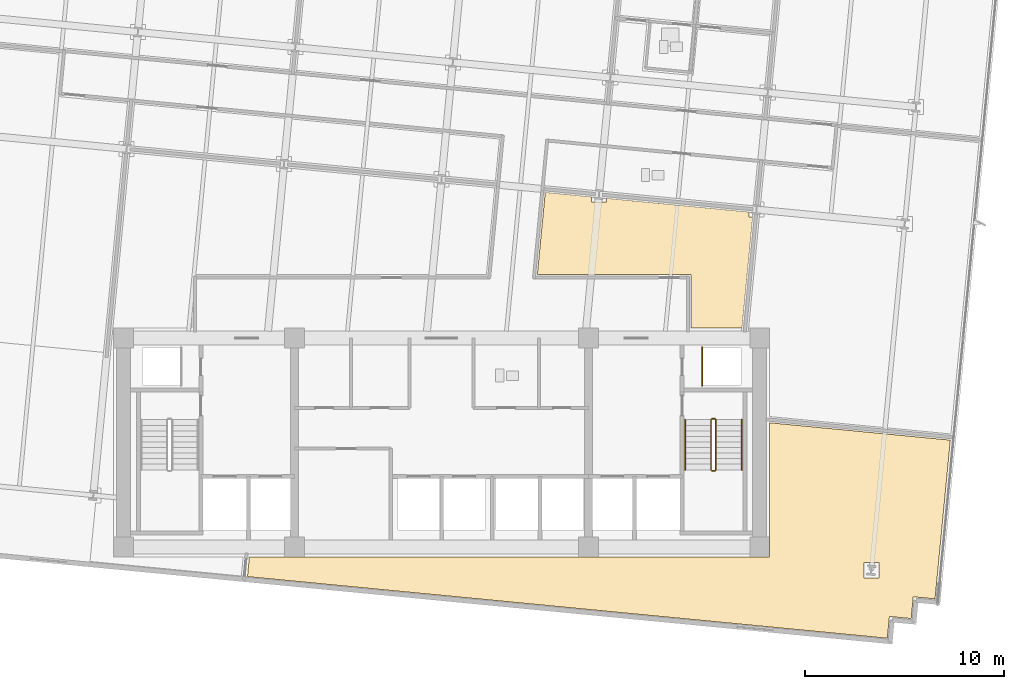
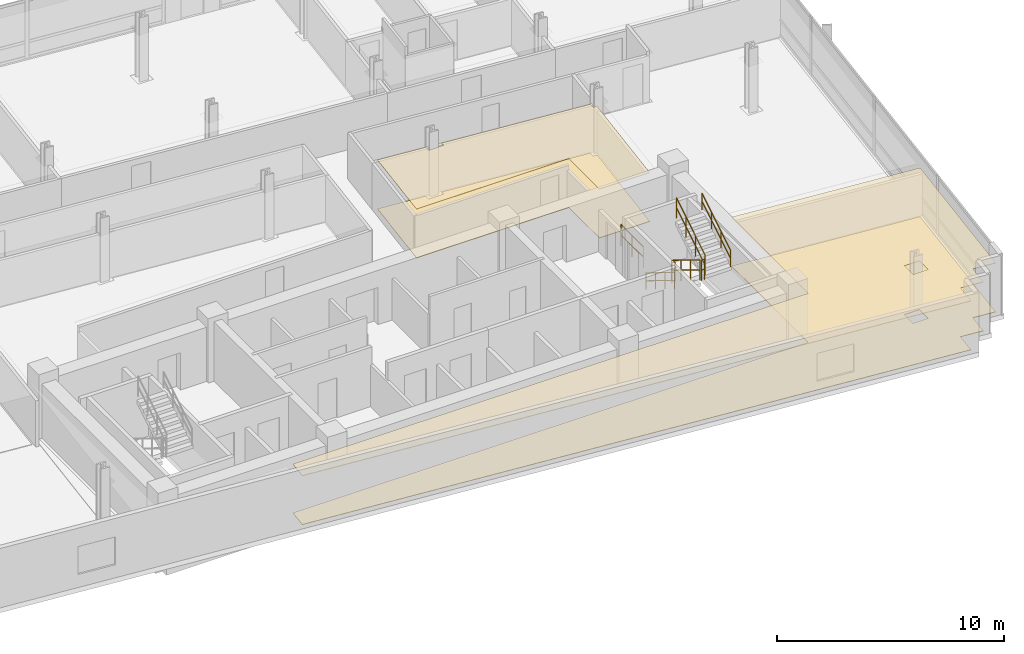
# One storey, part 14 of 16: 7 railings, 4 coverings.
"""IFC4 building model written with IfcOpenShell, lengths in metres."""

from ifc_helpers import new_model, si_unit, direction, frame, origin, origin_2d, place, context, subcontext, project, spatial, polyline, circle, outline, extrude, material, layer, layer_set, type_object, element, save


model = new_model("IFC4")

# Units and contexts
model_context = context("Model", 3, precision=1e-05, world=origin(), true_north=direction((0.0, 1.0)))
body_context = subcontext(model_context, "Body", "Model", "MODEL_VIEW")
ifc_project = project(units=[si_unit("LENGTHUNIT", "METRE"), si_unit("AREAUNIT", "SQUARE_METRE"), si_unit("VOLUMEUNIT", "CUBIC_METRE"), si_unit("PLANEANGLEUNIT", "RADIAN"), si_unit("MASSUNIT", "GRAM", prefix="KILO")], contexts=[model_context])

# Site, building, storey
site_placement = place(None, origin())
site = spatial("IfcSite", under=ifc_project, at=site_placement, CompositionType="ELEMENT")
building_placement = place(site_placement, origin())
building = spatial("IfcBuilding", under=site, at=building_placement, Name="Solmavex Isthmus Hotel", CompositionType="ELEMENT")
storey_placement = place(building_placement, frame((0.0, 0.0, 160.050048828125)))
storey = spatial("IfcBuildingStorey", under=building, at=storey_placement, Name="L43", CompositionType="ELEMENT", Elevation=160.050048828125)

# Coverings
ifc_material_1 = material(Name="Gypsum plasterboard lining", Category="gypsum")
ifc_layer_1 = layer(ifc_material_1, 0.030029296875)
ifc_layer_set_1 = layer_set([ifc_layer_1], Name="Gypsum plasterboard lining")
covering_type_1 = type_object("IfcCoveringType", Name="COV-CEIL-GYP", PredefinedType="CEILING", material=ifc_layer_set_1)
covering_1_placement = place(storey_placement, frame((0.0, 0.0, 2.619873046875)))
element("IfcCovering", 1, at=covering_1_placement, inside=storey, type_object=covering_type_1, Name="Suspended Acoustic Ceiling L43-FL07", PredefinedType="CEILING", context=body_context, shape_type="SweptSolid", body=[
    extrude(outline(polyline([(8.300537109375, 4.535400390625), (8.300537109375, 4.347900390625), (7.540771484375, 4.347900390625), (7.540771484375, 4.608642578125), (5.21533203125, 4.83251953125), (4.81787109375, 0.705078125), (12.554931640625, 0.705078125), (12.554931640625, -1.9951171875), (15.1103515625, -1.9951171875), (15.647705078125, 3.585205078125), (15.4599609375, 3.585205078125), (15.4599609375, 3.84619140625), (8.300537109375, 4.535400390625)])), origin(), (0.0, 0.0, 1.0), 0.030029296875),
])
covering_2_placement = place(storey_placement, frame((0.0, 0.0, 2.619873046875)))
element("IfcCovering", 2, at=covering_2_placement, inside=storey, type_object=covering_type_1, Name="Suspended Acoustic Ceiling L43-FL11", PredefinedType="CEILING", context=body_context, shape_type="SweptSolid", body=[
    extrude(outline(polyline([(21.59619140625, -17.51025390625), (22.41748046875, -17.58935546875), (22.496337890625, -16.768310546875), (22.522705078125, -16.494384765625), (23.61767578125, -16.599853515625), (23.72314453125, -15.5048828125), (24.818115234375, -15.6103515625), (24.897216796875, -14.789306640625), (25.5869140625, -7.62744140625), (16.5048828125, -6.7529296875), (16.5048828125, -13.5048828125), (-9.664794921875, -13.5048828125), (-9.6806640625, -13.669921875), (-9.759765625, -14.4912109375), (13.843994140625, -16.763916015625), (21.59619140625, -17.51025390625)]), holes=[polyline([(21.236328125, -14.552001953125), (21.236328125, -13.7919921875), (21.996337890625, -13.7919921875), (21.996337890625, -14.552001953125), (21.236328125, -14.552001953125)])]), origin(), (0.0, 0.0, 1.0), 0.030029296875),
])
ifc_material_2 = material(Name="Travertine natural stone", Category="masonry")
ifc_layer_2 = layer(ifc_material_2, 0.02490234375)
ifc_layer_set_2 = layer_set([ifc_layer_2], Name="Travertine natural stone")
covering_type_2 = type_object("IfcCoveringType", Name="COV-FLOR-STN", PredefinedType="FLOORING", material=ifc_layer_set_2)
covering_3_placement = place(storey_placement, origin())
element("IfcCovering", 3, at=covering_3_placement, inside=storey, type_object=covering_type_2, Name="Stone and Timber Floor Finish L43-FL07", PredefinedType="FLOORING", context=body_context, shape_type="SweptSolid", body=[
    extrude(outline(polyline([(8.300537109375, 4.535400390625), (8.300537109375, 4.347900390625), (7.540771484375, 4.347900390625), (7.540771484375, 4.608642578125), (5.21533203125, 4.83251953125), (4.81787109375, 0.705078125), (12.554931640625, 0.705078125), (12.554931640625, -1.9951171875), (15.1103515625, -1.9951171875), (15.647705078125, 3.585205078125), (15.4599609375, 3.585205078125), (15.4599609375, 3.84619140625), (8.300537109375, 4.535400390625)])), origin(), (0.0, 0.0, 1.0), 0.02490234375),
])
covering_4_placement = place(storey_placement, origin())
element("IfcCovering", 4, at=covering_4_placement, inside=storey, type_object=covering_type_2, Name="Stone and Timber Floor Finish L43-FL11", PredefinedType="FLOORING", context=body_context, shape_type="SweptSolid", body=[
    extrude(outline(polyline([(21.59619140625, -17.51025390625), (22.41748046875, -17.58935546875), (22.496337890625, -16.768310546875), (22.522705078125, -16.494384765625), (23.61767578125, -16.599853515625), (23.72314453125, -15.5048828125), (24.818115234375, -15.6103515625), (24.897216796875, -14.789306640625), (25.5869140625, -7.62744140625), (16.5048828125, -6.7529296875), (16.5048828125, -13.5048828125), (-9.664794921875, -13.5048828125), (-9.6806640625, -13.669921875), (-9.759765625, -14.4912109375), (13.843994140625, -16.763916015625), (21.59619140625, -17.51025390625)]), holes=[polyline([(21.236328125, -14.552001953125), (21.236328125, -13.7919921875), (21.996337890625, -13.7919921875), (21.996337890625, -14.552001953125), (21.236328125, -14.552001953125)])]), origin(), (0.0, 0.0, 1.0), 0.02490234375),
])

# Railings
ifc_material_3 = material(Name="Clear low-E laminated glass", Category="glass")
ifc_layer_3 = layer(ifc_material_3, 0.080078125)
ifc_layer_set_3 = layer_set([ifc_layer_3], Name="Clear low-E laminated glass")
railing_type_1 = type_object("IfcRailingType", Name="RAIL-ATRIUM-1120", PredefinedType="BALUSTRADE", material=ifc_layer_set_3)
railing_1_placement = place(storey_placement, frame((13.10009765625, -4.89990234375, 0.0)))
element("IfcRailing", 5, at=railing_1_placement, inside=storey, type_object=railing_type_1, Name="Guardrail Balustrade L43-RSE-01", PredefinedType="BALUSTRADE", context=body_context, shape_type="SweptSolid", body=[
    extrude(circle(Radius=0.02392578125, at=origin_2d()), frame((0.0, 0.0, 1.1259765625), z_axis=(0.0, 1.0, 0.0), x_axis=(-1.0, 0.0, 0.0)), (0.0, 0.0, 1.0), 1.949951171875),
    extrude(circle(Radius=0.02392578125, at=origin_2d()), frame((0.0, 0.0, 0.574951171875), z_axis=(0.0, 1.0, 0.0), x_axis=(-1.0, 0.0, 0.0)), (0.0, 0.0, 1.0), 1.949951171875),
    extrude(circle(Radius=0.02099609375, at=origin_2d()), origin(), (0.0, 0.0, 1.0), 1.101806640625),
    extrude(circle(Radius=0.02099609375, at=origin_2d()), frame((0.0, 0.97509765625, 0.0)), (0.0, 0.0, 1.0), 1.101806640625),
    extrude(circle(Radius=0.02099609375, at=origin_2d()), frame((0.0, 1.949951171875, 0.0)), (0.0, 0.0, 1.0), 1.101806640625),
])
ifc_material_4 = material(Name="Stainless steel 316", Category="steel")
ifc_layer_4 = layer(ifc_material_4, 0.06005859375)
ifc_layer_set_4 = layer_set([ifc_layer_4], Name="Stainless steel 316")
railing_type_2 = type_object("IfcRailingType", Name="RAIL-STAIR-GD", PredefinedType="GUARDRAIL", material=ifc_layer_set_4)
railing_2_placement = place(storey_placement, frame((13.550048828125, -6.60009765625, 0.17236328125)))
element("IfcRailing", 6, at=railing_2_placement, inside=storey, type_object=railing_type_2, Name="L43 ST-2 stair guard 1", PredefinedType="GUARDRAIL", context=body_context, shape_type="SweptSolid", body=[
    extrude(circle(Radius=0.02392578125, at=origin_2d()), frame((0.0, 0.0, 1.09619140625), z_axis=(0.0, -0.851400495292, 0.524516154772), x_axis=(1.0, 0.0, 0.0)), (0.0, 0.0, 1.0), 2.9599609375),
    extrude(circle(Radius=0.02392578125, at=origin_2d()), frame((0.0, 0.0, 0.56005859375), z_axis=(0.0, -0.851400495292, 0.524516154772), x_axis=(1.0, 0.0, 0.0)), (0.0, 0.0, 1.0), 2.9599609375),
    extrude(circle(Radius=0.02099609375, at=origin_2d()), origin(), (0.0, 0.0, 1.0), 1.072021484375),
    extrude(circle(Radius=0.02099609375, at=origin_2d()), frame((0.0, -0.840087890625, 0.517578125)), (0.0, 0.0, 1.0), 1.072021484375),
    extrude(circle(Radius=0.02099609375, at=origin_2d()), frame((0.0, -1.679931640625, 1.034912109375)), (0.0, 0.0, 1.0), 1.072021484375),
    extrude(circle(Radius=0.02099609375, at=origin_2d()), frame((0.0, -2.52001953125, 1.552490234375)), (0.0, 0.0, 1.0), 1.072021484375),
])
railing_3_placement = place(storey_placement, frame((13.60009765625, -9.169921875, 1.724853515625)))
element("IfcRailing", 7, at=railing_3_placement, inside=storey, type_object=railing_type_2, Name="L43 ST-2 stair guard 2", PredefinedType="GUARDRAIL", context=body_context, shape_type="SweptSolid", body=[
    extrude(circle(Radius=0.02392578125, at=origin_2d()), frame((0.0, 0.0, 1.09619140625), z_axis=(1.0, 0.0, 0.0), x_axis=(0.0, 1.0, 0.0)), (0.0, 0.0, 1.0), 0.14990234375),
    extrude(circle(Radius=0.02392578125, at=origin_2d()), frame((0.0, 0.0, 0.56005859375), z_axis=(1.0, 0.0, 0.0), x_axis=(0.0, 1.0, 0.0)), (0.0, 0.0, 1.0), 0.14990234375),
    extrude(circle(Radius=0.02099609375, at=origin_2d()), origin(), (0.0, 0.0, 1.0), 1.072021484375),
    extrude(circle(Radius=0.02099609375, at=origin_2d()), frame((0.14990234375, 0.0, 0.0)), (0.0, 0.0, 1.0), 1.072021484375),
])
railing_4_placement = place(storey_placement, frame((13.800048828125, -9.1201171875, 1.8974609375)))
element("IfcRailing", 8, at=railing_4_placement, inside=storey, type_object=railing_type_2, Name="L43 ST-2 stair guard 3", PredefinedType="GUARDRAIL", context=body_context, shape_type="SweptSolid", body=[
    extrude(circle(Radius=0.02392578125, at=origin_2d()), frame((0.0, 0.0, 1.09619140625), z_axis=(0.0, 0.851400495292, 0.524516154772), x_axis=(-1.0, 0.0, 0.0)), (0.0, 0.0, 1.0), 2.9599609375),
    extrude(circle(Radius=0.02392578125, at=origin_2d()), frame((0.0, 0.0, 0.56005859375), z_axis=(0.0, 0.851400495292, 0.524516154772), x_axis=(-1.0, 0.0, 0.0)), (0.0, 0.0, 1.0), 2.9599609375),
    extrude(circle(Radius=0.02099609375, at=origin_2d()), origin(), (0.0, 0.0, 1.0), 1.072021484375),
    extrude(circle(Radius=0.02099609375, at=origin_2d()), frame((0.0, 0.840087890625, 0.517578125)), (0.0, 0.0, 1.0), 1.072021484375),
    extrude(circle(Radius=0.02099609375, at=origin_2d()), frame((0.0, 1.679931640625, 1.034912109375)), (0.0, 0.0, 1.0), 1.072021484375),
    extrude(circle(Radius=0.02099609375, at=origin_2d()), frame((0.0, 2.52001953125, 1.552490234375)), (0.0, 0.0, 1.0), 1.072021484375),
])
railing_5_placement = place(storey_placement, frame((13.60009765625, -6.550048828125, 0.0)))
element("IfcRailing", 9, at=railing_5_placement, inside=storey, type_object=railing_type_2, Name="L43 ST-2 stair guard 4", PredefinedType="GUARDRAIL", context=body_context, shape_type="SweptSolid", body=[
    extrude(circle(Radius=0.02392578125, at=origin_2d()), frame((0.0, 0.0, 1.09619140625), z_axis=(1.0, 0.0, 0.0), x_axis=(0.0, 1.0, 0.0)), (0.0, 0.0, 1.0), 0.14990234375),
    extrude(circle(Radius=0.02392578125, at=origin_2d()), frame((0.0, 0.0, 0.56005859375), z_axis=(1.0, 0.0, 0.0), x_axis=(0.0, 1.0, 0.0)), (0.0, 0.0, 1.0), 0.14990234375),
    extrude(circle(Radius=0.02099609375, at=origin_2d()), origin(), (0.0, 0.0, 1.0), 1.072021484375),
    extrude(circle(Radius=0.02099609375, at=origin_2d()), frame((0.14990234375, 0.0, 0.0)), (0.0, 0.0, 1.0), 1.072021484375),
])
ifc_layer_5 = layer(ifc_material_4, 0.050048828125)
ifc_layer_set_5 = layer_set([ifc_layer_5], Name="Stainless steel 316")
railing_type_3 = type_object("IfcRailingType", Name="RAIL-STAIR-HR", PredefinedType="HANDRAIL", material=ifc_layer_set_5)
railing_6_placement = place(storey_placement, frame((12.25, -6.60009765625, 0.17236328125)))
element("IfcRailing", 10, at=railing_6_placement, inside=storey, type_object=railing_type_3, Name="L43 ST-2 stair handrail 1", PredefinedType="HANDRAIL", context=body_context, shape_type="SweptSolid", body=[
    extrude(circle(Radius=0.02392578125, at=origin_2d()), frame((0.0, 0.0, 0.8759765625), z_axis=(0.0, -0.851400495292, 0.524516154772), x_axis=(1.0, 0.0, 0.0)), (0.0, 0.0, 1.0), 2.9599609375),
    extrude(circle(Radius=0.02392578125, at=origin_2d()), frame((0.0, 0.0, 0.449951171875), z_axis=(0.0, -0.851400495292, 0.524516154772), x_axis=(1.0, 0.0, 0.0)), (0.0, 0.0, 1.0), 2.9599609375),
    extrude(circle(Radius=0.02099609375, at=origin_2d()), origin(), (0.0, 0.0, 1.0), 0.851806640625),
    extrude(circle(Radius=0.02099609375, at=origin_2d()), frame((0.0, -0.840087890625, 0.517578125)), (0.0, 0.0, 1.0), 0.851806640625),
    extrude(circle(Radius=0.02099609375, at=origin_2d()), frame((0.0, -1.679931640625, 1.034912109375)), (0.0, 0.0, 1.0), 0.851806640625),
    extrude(circle(Radius=0.02099609375, at=origin_2d()), frame((0.0, -2.52001953125, 1.552490234375)), (0.0, 0.0, 1.0), 0.851806640625),
])
railing_7_placement = place(storey_placement, frame((15.10009765625, -9.1201171875, 1.8974609375)))
element("IfcRailing", 11, at=railing_7_placement, inside=storey, type_object=railing_type_3, Name="L43 ST-2 stair handrail 2", PredefinedType="HANDRAIL", context=body_context, shape_type="SweptSolid", body=[
    extrude(circle(Radius=0.02392578125, at=origin_2d()), frame((0.0, 0.0, 0.8759765625), z_axis=(0.0, 0.851400495292, 0.524516154772), x_axis=(-1.0, 0.0, 0.0)), (0.0, 0.0, 1.0), 2.9599609375),
    extrude(circle(Radius=0.02392578125, at=origin_2d()), frame((0.0, 0.0, 0.449951171875), z_axis=(0.0, 0.851400495292, 0.524516154772), x_axis=(-1.0, 0.0, 0.0)), (0.0, 0.0, 1.0), 2.9599609375),
    extrude(circle(Radius=0.02099609375, at=origin_2d()), origin(), (0.0, 0.0, 1.0), 0.851806640625),
    extrude(circle(Radius=0.02099609375, at=origin_2d()), frame((0.0, 0.840087890625, 0.517578125)), (0.0, 0.0, 1.0), 0.851806640625),
    extrude(circle(Radius=0.02099609375, at=origin_2d()), frame((0.0, 1.679931640625, 1.034912109375)), (0.0, 0.0, 1.0), 0.851806640625),
    extrude(circle(Radius=0.02099609375, at=origin_2d()), frame((0.0, 2.52001953125, 1.552490234375)), (0.0, 0.0, 1.0), 0.851806640625),
])

save(model, "model.ifc")
